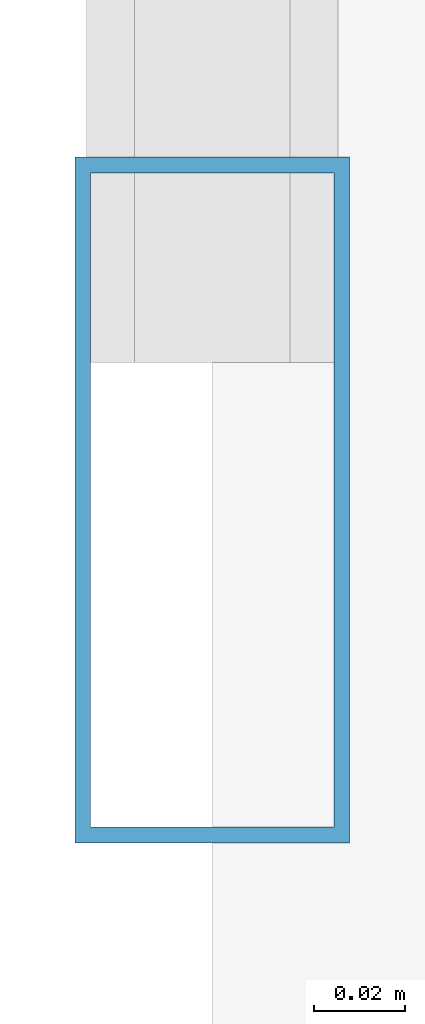
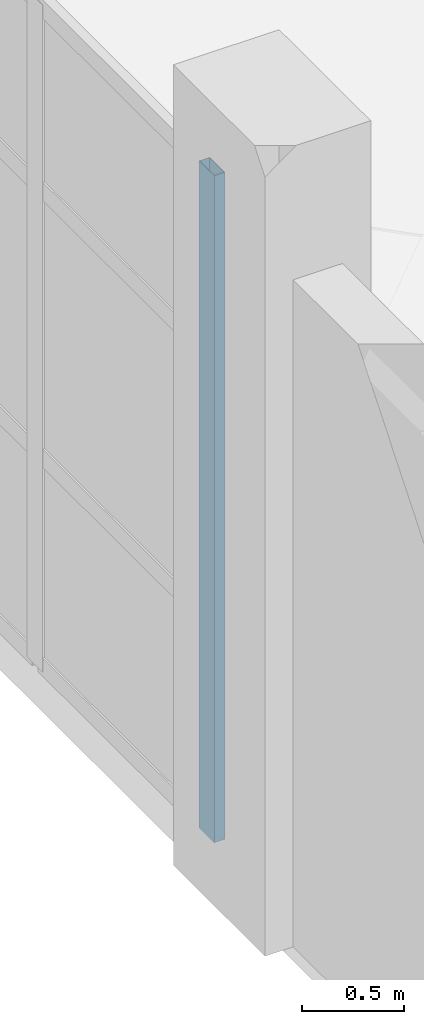
# One storey, part 13 of 63: 1 member, 1 element without a shape of its own.
"""IFC4 building model written with IfcOpenShell, lengths in metres."""

from ifc_helpers import new_model, si_unit, direction, frame, origin, origin_2d, place, context, subcontext, project, spatial, hollow_rectangle, extrude, material, layer, layer_set, material_profile, profile_set, type_object, element, aggregate, save


model = new_model("IFC4")

# Units and contexts
model_context = context("Model", 3, precision=1e-05, world=origin(), true_north=direction((0.0, 1.0)))
body_context = subcontext(model_context, "Body", "Model", "MODEL_VIEW")
ifc_project = project(units=[si_unit("LENGTHUNIT", "METRE"), si_unit("AREAUNIT", "SQUARE_METRE"), si_unit("VOLUMEUNIT", "CUBIC_METRE"), si_unit("PLANEANGLEUNIT", "RADIAN"), si_unit("MASSUNIT", "GRAM", prefix="KILO")], contexts=[model_context])

# Site, building, storey
site_placement = place(None, origin())
site = spatial("IfcSite", under=ifc_project, at=site_placement, CompositionType="ELEMENT")
building_placement = place(site_placement, origin())
building = spatial("IfcBuilding", under=site, at=building_placement, Name="Canggui Botanical Conservatory", CompositionType="ELEMENT")
storey_placement = place(building_placement, frame((0.0, 0.0, 10.199951171875)))
storey = spatial("IfcBuildingStorey", under=building, at=storey_placement, Name="L03", CompositionType="ELEMENT", Elevation=10.199951171875)

# Curtain wall, member
ifc_material = material(Name="Thermally Broken Aluminium", Category="aluminium")
ifc_layer = layer(ifc_material, 0.14990234375, Name="Thermally Broken Aluminium", Category="aluminium")
ifc_layer_set = layer_set([ifc_layer], Name="Thermally Broken Aluminium")
curtain_wall_type = type_object("IfcCurtainWallType", Name="CW-UNIT-C", PredefinedType="USERDEFINED", material=ifc_layer_set)
curtain_wall_placement = place(storey_placement, origin())
curtain_wall = element("IfcCurtainWall", 1, at=curtain_wall_placement, inside=storey, type_object=curtain_wall_type, Name="Facade Curtain Wall CW-TWR-L03-09", ObjectType="UNITISED CURTAIN WALL", PredefinedType="USERDEFINED")
ifc_material_profile = material_profile(ifc_material, hollow_rectangle(XDim=0.06005859375, YDim=0.14990234375, WallThickness=0.00341796875, at=origin_2d()), Name="CWM 60x150x3.5")
ifc_profile_set = profile_set([ifc_material_profile], Name="Thermally Broken Aluminium")
member_type = type_object("IfcMemberType", Name="CWM-03", PredefinedType="MULLION", material=ifc_profile_set)
member_placement = place(storey_placement, frame((130.0, 42.590087890625, 0.0), z_axis=(0.0, 0.0, 1.0), x_axis=(-1.0, 0.0, 0.0)))
member = element("IfcMember", 2, at=member_placement, type_object=member_type, Name="CW-03 mullion 1", PredefinedType="MULLION", context=body_context, shape_type="SweptSolid", body=[
    extrude(hollow_rectangle(XDim=0.06005859375, YDim=0.14990234375, WallThickness=0.00341796875, at=origin_2d()), origin(), (0.0, 0.0, 1.0), 4.0),
])
aggregate(curtain_wall, [member])

save(model, "model.ifc")
